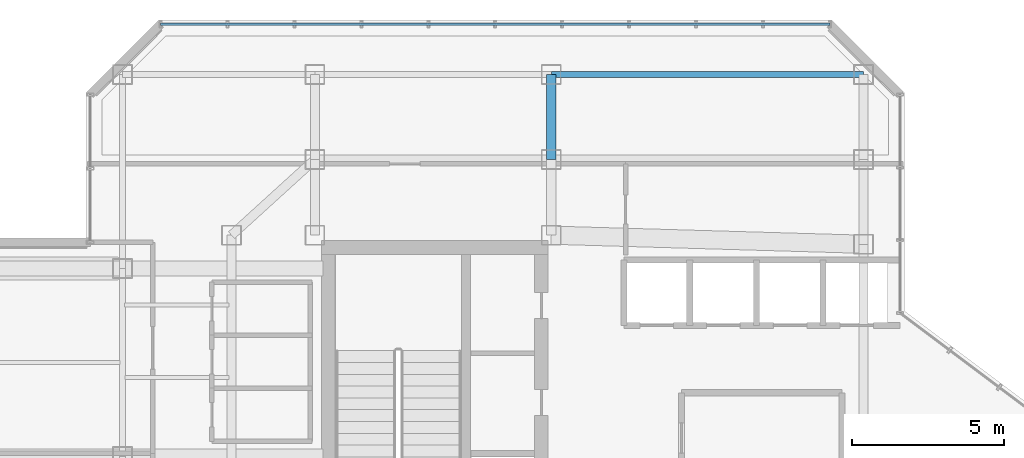
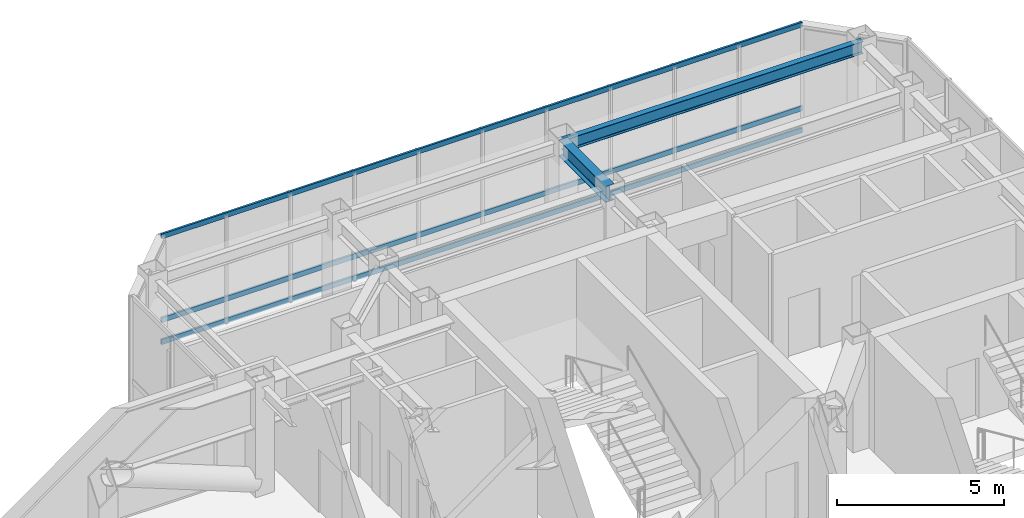
# One storey, part 14 of 22: 3 members, 2 beams, 1 element without a shape of its own.
"""IFC4 building model written with IfcOpenShell, lengths in metres."""

from ifc_helpers import new_model, si_unit, direction, frame, origin, origin_2d, place, context, subcontext, project, spatial, hollow_rectangle, i_section, extrude, material, layer, layer_set, material_profile, profile_set, type_object, element, aggregate, save


model = new_model("IFC4")

# Units and contexts
model_context = context("Model", 3, precision=1e-05, world=origin(), true_north=direction((0.0, 1.0)))
body_context = subcontext(model_context, "Body", "Model", "MODEL_VIEW")
ifc_project = project(units=[si_unit("LENGTHUNIT", "METRE"), si_unit("AREAUNIT", "SQUARE_METRE"), si_unit("VOLUMEUNIT", "CUBIC_METRE"), si_unit("PLANEANGLEUNIT", "RADIAN"), si_unit("MASSUNIT", "GRAM", prefix="KILO")], contexts=[model_context])

# Site, building, storey
site_placement = place(None, origin())
site = spatial("IfcSite", under=ifc_project, at=site_placement, CompositionType="ELEMENT")
building_placement = place(site_placement, origin())
building = spatial("IfcBuilding", under=site, at=building_placement, Name="Hatsunagi Terrace Concourse", CompositionType="ELEMENT")
storey_placement = place(building_placement, frame((0.0, 0.0, 257.550048828125)))
storey = spatial("IfcBuildingStorey", under=building, at=storey_placement, Name="L68", CompositionType="ELEMENT", Elevation=257.550048828125)

# Curtain wall, members
ifc_material_1 = material(Name="Anodised Aluminium Alloy 6063-T5", Category="aluminium")
ifc_layer = layer(ifc_material_1, 0.199951171875)
ifc_layer_set = layer_set([ifc_layer], Name="SkyLobbyAtrium_CW05")
curtain_wall_type = type_object("IfcCurtainWallType", Name="SkyLobbyAtrium_CW05", PredefinedType="NOTDEFINED", material=ifc_layer_set)
curtain_wall_placement = place(storey_placement, origin())
curtain_wall = element("IfcCurtainWall", 1, at=curtain_wall_placement, inside=storey, type_object=curtain_wall_type, Name="Unitised Curtain Wall CW-05 CW-L68-03", PredefinedType="NOTDEFINED")
ifc_material_2 = material(Name="Anodised Aluminium Alloy 6063-T5", Category="aluminium")
ifc_material_profile_1 = material_profile(ifc_material_2, hollow_rectangle(XDim=0.070068359375, YDim=0.179931640625, WallThickness=0.00390625, at=origin_2d()), Name="ALU-TRN-180x70x4")
ifc_profile_set_1 = profile_set([ifc_material_profile_1], Name="Anodised Aluminium Alloy 6063-T5")
member_type = type_object("IfcMemberType", Name="CurtainWallTransom_Heavy_180x70", PredefinedType="USERDEFINED", material=ifc_profile_set_1)
member_1_placement = place(storey_placement, frame((20.4580078125, 50.260009765625, 0.050048828125), z_axis=(1.0, 0.0, 0.0), x_axis=(0.0, 1.0, 0.0)))
member_1 = element("IfcMember", 2, at=member_1_placement, type_object=member_type, Name="Curtain Wall Transom TRN-01", ObjectType="TRANSOM", PredefinedType="USERDEFINED", context=body_context, shape_type="SweptSolid", body=[
    extrude(hollow_rectangle(XDim=0.070068359375, YDim=0.179931640625, WallThickness=0.00390625, at=origin_2d()), origin(), (0.0, 0.0, 1.0), 22.083984375),
])
member_2_placement = place(storey_placement, frame((20.4580078125, 50.260009765625, 0.849853515625), z_axis=(1.0, 0.0, 0.0), x_axis=(0.0, 1.0, 0.0)))
member_2 = element("IfcMember", 3, at=member_2_placement, type_object=member_type, Name="Curtain Wall Transom TRN-01", ObjectType="TRANSOM", PredefinedType="USERDEFINED", context=body_context, shape_type="SweptSolid", body=[
    extrude(hollow_rectangle(XDim=0.070068359375, YDim=0.179931640625, WallThickness=0.00390625, at=origin_2d()), origin(), (0.0, 0.0, 1.0), 22.083984375),
])
member_3_placement = place(storey_placement, frame((20.4580078125, 50.260009765625, 3.89990234375), z_axis=(1.0, 0.0, 0.0), x_axis=(0.0, 1.0, 0.0)))
member_3 = element("IfcMember", 4, at=member_3_placement, type_object=member_type, Name="Curtain Wall Transom TRN-01", ObjectType="TRANSOM", PredefinedType="USERDEFINED", context=body_context, shape_type="SweptSolid", body=[
    extrude(hollow_rectangle(XDim=0.070068359375, YDim=0.179931640625, WallThickness=0.00390625, at=origin_2d()), origin(), (0.0, 0.0, 1.0), 22.083984375),
])
aggregate(curtain_wall, [member_1, member_2, member_3])

# Beams
ifc_material_3 = material(Name="Steel SN490B", Category="steel")
ifc_material_profile_2 = material_profile(ifc_material_3, i_section(OverallWidth=0.300048828125, OverallDepth=0.587890625, WebThickness=0.011962890625, FlangeThickness=0.02001953125, FilletRadius=0.01806640625, at=origin_2d()), Name="H-588x300x12x20")
ifc_profile_set_2 = profile_set([ifc_material_profile_2], Name="Steel SN490B")
beam_type_1 = type_object("IfcBeamType", Name="OfficeHighGirder_H_588x300", PredefinedType="BEAM", material=ifc_profile_set_2)
beam_1_placement = place(storey_placement, frame((33.35009765625, 45.800048828125, 3.656005859375), z_axis=(0.0, 1.0, 0.0), x_axis=(-1.0, 0.0, 0.0)))
element("IfcBeam", 5, at=beam_1_placement, inside=storey, type_object=beam_type_1, Name="Beam G-06 BM-L68-KN-WN5", PredefinedType="BEAM", context=body_context, shape_type="SweptSolid", body=[
    extrude(i_section(OverallWidth=0.300048828125, OverallDepth=0.587890625, WebThickness=0.011962890625, FlangeThickness=0.02001953125, FilletRadius=0.01806640625, at=origin_2d()), origin(), (0.0, 0.0, 1.0), 2.800048828125),
])
ifc_material_4 = material(Name="Steel SN490B", Category="steel")
ifc_material_profile_3 = material_profile(ifc_material_4, i_section(OverallWidth=0.199951171875, OverallDepth=0.449951171875, WebThickness=0.009033203125, FlangeThickness=0.013916015625, FilletRadius=0.01611328125, at=origin_2d()), Name="H-450x200x9x14")
ifc_profile_set_3 = profile_set([ifc_material_profile_3], Name="Steel SN490B")
beam_type_2 = type_object("IfcBeamType", Name="PerimeterSpandrel_H_450x200", PredefinedType="SPANDREL", material=ifc_profile_set_3)
beam_2_placement = place(storey_placement, frame((33.35009765625, 48.60009765625, 3.724853515625), z_axis=(1.0, 0.0, 0.0), x_axis=(0.0, 1.0, 0.0)))
element("IfcBeam", 6, at=beam_2_placement, inside=storey, type_object=beam_type_2, Name="Beam SP-02 BM-L68-WN-33", PredefinedType="SPANDREL", context=body_context, shape_type="SweptSolid", body=[
    extrude(i_section(OverallWidth=0.199951171875, OverallDepth=0.449951171875, WebThickness=0.009033203125, FlangeThickness=0.013916015625, FilletRadius=0.01611328125, at=origin_2d()), origin(), (0.0, 0.0, 1.0), 10.2998046875),
])

save(model, "model.ifc")
